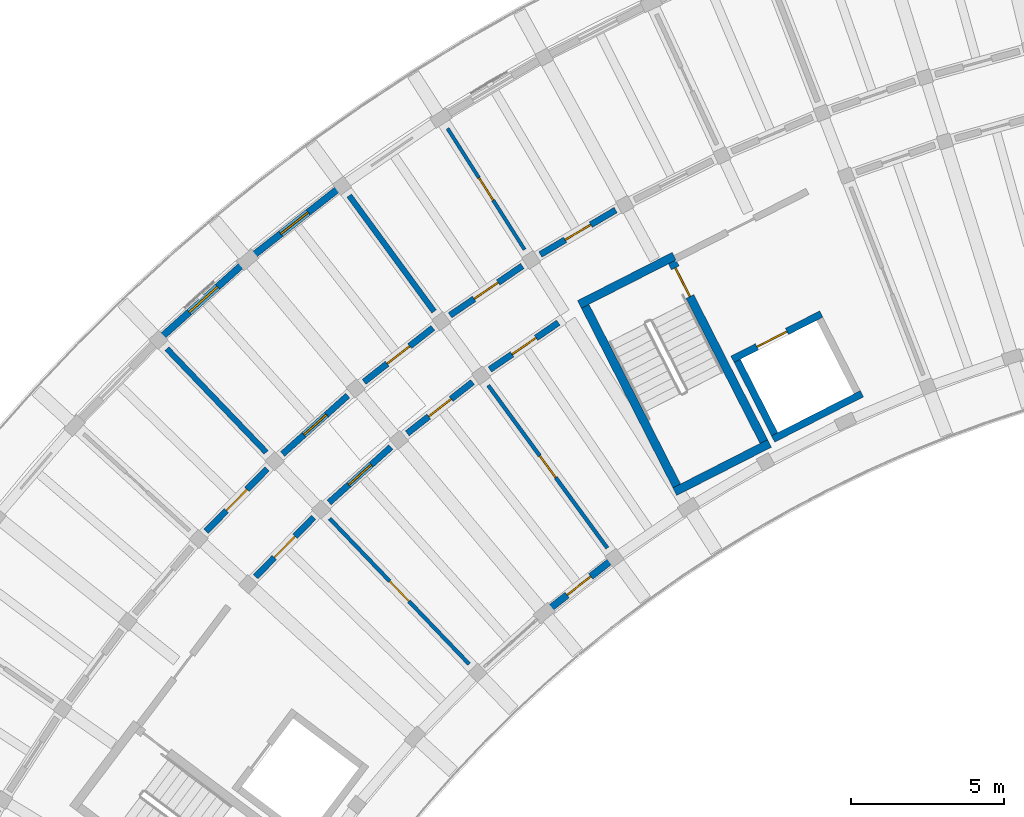
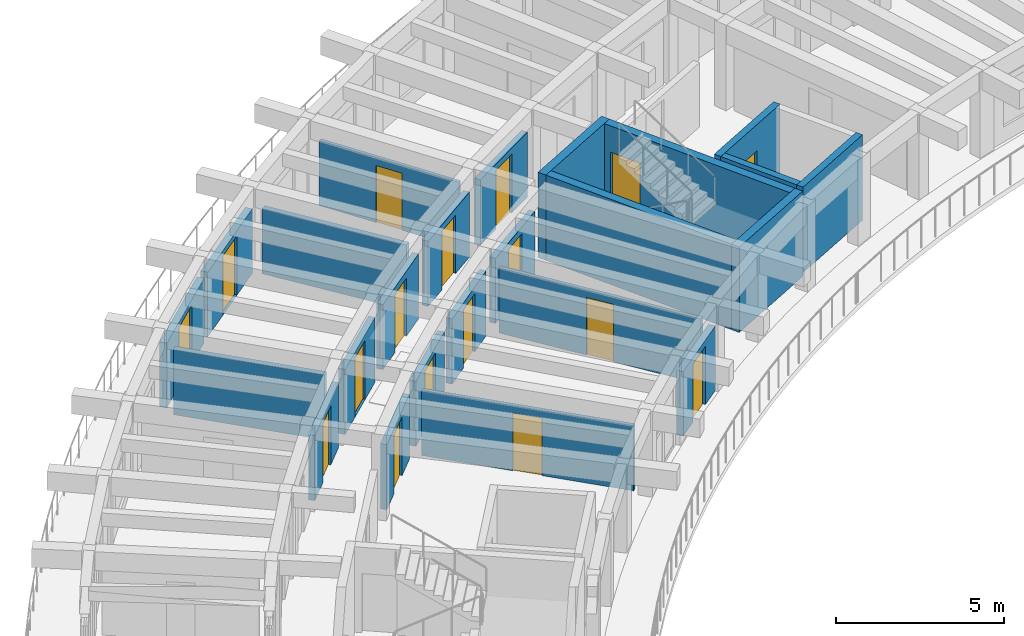
# One storey, part 20 of 36: 24 walls, 16 doors, 1 window, 17 openings.
"""IFC4 building model written with IfcOpenShell, lengths in metres."""

from ifc_helpers import new_model, si_unit, direction, frame, frame_2d, origin, place, context, subcontext, project, spatial, rectangle, extrude, material, layer, layer_set, type_object, element, fill, save


model = new_model("IFC4")

# Units and contexts
model_context = context("Model", 3, precision=1e-05, world=origin(), true_north=direction((0.0, 1.0)))
body_context = subcontext(model_context, "Body", "Model", "MODEL_VIEW")
ifc_project = project(units=[si_unit("LENGTHUNIT", "METRE"), si_unit("AREAUNIT", "SQUARE_METRE"), si_unit("VOLUMEUNIT", "CUBIC_METRE"), si_unit("PLANEANGLEUNIT", "RADIAN"), si_unit("MASSUNIT", "GRAM", prefix="KILO")], contexts=[model_context])

# Site, building, storey
site_placement = place(None, origin())
site = spatial("IfcSite", under=ifc_project, at=site_placement, CompositionType="ELEMENT")
building_placement = place(site_placement, origin())
building = spatial("IfcBuilding", under=site, at=building_placement, Name="Tanwirah Colonnade Gardens", CompositionType="ELEMENT")
storey_placement = place(building_placement, frame((0.0, 0.0, 39.080078125)))
storey = spatial("IfcBuildingStorey", under=building, at=storey_placement, Name="L11", CompositionType="ELEMENT", Elevation=39.080078125)

# Wall, opening, door
ifc_material_1 = material(Name="Limestone architectural precast concrete C40/50", Category="masonry")
ifc_layer_1 = layer(ifc_material_1, 0.22509765625)
ifc_layer_set_1 = layer_set([ifc_layer_1], Name="Limestone architectural precast concrete C40/50")
wall_type_1 = type_object("IfcWallType", Name="EW-PC225", PredefinedType="SOLIDWALL", material=ifc_layer_set_1)
wall_1_placement = place(storey_placement, frame((29.657470703125, 108.12060546875, 0.0), z_axis=(0.0, 0.0, 1.0), x_axis=(-0.786798003455, -0.617210581374, 0.0)))
wall_1 = element("IfcWall", 1, at=wall_1_placement, inside=storey, type_object=wall_type_1, Name="Block A L11 OUT Precast Facade Wall 8", PredefinedType="SOLIDWALL", context=body_context, shape_type="SweptSolid", body=[
    extrude(rectangle(XDim=3.56591796875, YDim=0.22509765625, at=frame_2d((1.782958984375, 0.0))), origin(), (0.0, 0.0, 1.0), 2.35498046875),
])
opening_1_placement = place(wall_1_placement, frame((1.212890625, 0.0, 0.0)))
opening_1 = element("IfcOpeningElement", 2, at=opening_1_placement, cuts=wall_1, Name="Opening L11-ED053", PredefinedType="OPENING", context=body_context, shape_type="SweptSolid", body=[
    extrude(rectangle(XDim=1.139892578125, YDim=2.159912109375, at=frame_2d((0.56982421875, 1.080078125))), frame((0.0, 0.12255859375, 0.0), z_axis=(0.0, -1.0, 0.0), x_axis=(1.0, 0.0, 0.0)), (0.0, 0.0, 1.0), 0.2451171875),
])
ifc_material_2 = material(Name="Bronze aluminium glazed balcony door", Category="aluminium")
door_type_1 = type_object("IfcDoorType", Name="ED-BAL114", OperationType="NOTDEFINED", PredefinedType="DOOR", material=ifc_material_2)
door_1_placement = place(opening_1_placement, origin())
door_1 = element("IfcDoor", 3, at=door_1_placement, inside=storey, type_object=door_type_1, Name="Balcony glazed door L11-ED053", OperationType="SINGLE_SWING_RIGHT", OverallHeight=2.159912109375, OverallWidth=1.139892578125, PredefinedType="DOOR", context=body_context, shape_type="SweptSolid", body=[
    extrude(rectangle(XDim=1.139892578125, YDim=2.159912109375, at=frame_2d((0.56982421875, 1.080078125))), frame((0.0, 0.02490234375, 0.0), z_axis=(0.0, -1.0, 0.0), x_axis=(1.0, 0.0, 0.0)), (0.0, 0.0, 1.0), 0.050048828125),
])
fill(opening_1, door_1)

wall_2_placement = place(storey_placement, frame((38.580322265625, 95.93896484375, 0.0), z_axis=(0.0, 0.0, 1.0), x_axis=(-0.786819050397, -0.617183750541, 0.0)))
wall_2 = element("IfcWall", 4, at=wall_2_placement, inside=storey, type_object=wall_type_1, Name="Block A L11 IN Precast Facade Wall 8", PredefinedType="SOLIDWALL", context=body_context, shape_type="SweptSolid", body=[
    extrude(rectangle(XDim=2.5703125, YDim=0.22509765625, at=frame_2d((1.28515625, 0.0))), origin(), (0.0, 0.0, 1.0), 2.35498046875),
])
opening_2_placement = place(wall_2_placement, frame((0.795166015625, 0.0, 0.0)))
opening_2 = element("IfcOpeningElement", 5, at=opening_2_placement, cuts=wall_2, Name="Opening L11-ED054", PredefinedType="OPENING", context=body_context, shape_type="SweptSolid", body=[
    extrude(rectangle(XDim=0.97998046875, YDim=2.1201171875, at=frame_2d((0.489990234375, 1.06005859375))), frame((0.0, 0.12255859375, 0.0), z_axis=(0.0, -1.0, 0.0), x_axis=(1.0, 0.0, 0.0)), (0.0, 0.0, 1.0), 0.2451171875),
])
door_type_2 = type_object("IfcDoorType", Name="ED-BAL098", OperationType="NOTDEFINED", PredefinedType="DOOR", material=ifc_material_2)
door_2_placement = place(opening_2_placement, origin())
door_2 = element("IfcDoor", 6, at=door_2_placement, inside=storey, type_object=door_type_2, Name="Balcony glazed door L11-ED054", OperationType="SINGLE_SWING_RIGHT", OverallHeight=2.1201171875, OverallWidth=0.97998046875, PredefinedType="DOOR", context=body_context, shape_type="SweptSolid", body=[
    extrude(rectangle(XDim=0.97998046875, YDim=2.1201171875, at=frame_2d((0.489990234375, 1.06005859375))), frame((0.0, 0.02490234375, 0.0), z_axis=(0.0, -1.0, 0.0), x_axis=(1.0, 0.0, 0.0)), (0.0, 0.0, 1.0), 0.050048828125),
])
fill(opening_2, door_2)

# Wall, opening, window
wall_3_placement = place(storey_placement, frame((26.59912109375, 105.707763671875, 0.0), z_axis=(0.0, 0.0, 1.0), x_axis=(-0.744409820675, -0.667723010598, 0.0)))
wall_3 = element("IfcWall", 7, at=wall_3_placement, inside=storey, type_object=wall_type_1, Name="Block A L11 OUT Precast Facade Wall 9", PredefinedType="SOLIDWALL", context=body_context, shape_type="SweptSolid", body=[
    extrude(rectangle(XDim=3.565673828125, YDim=0.22509765625, at=frame_2d((1.78271484375, 0.0))), origin(), (0.0, 0.0, 1.0), 2.35498046875),
])
opening_3_placement = place(wall_3_placement, frame((1.157958984375, 0.0, 0.550048828125)))
opening_3 = element("IfcOpeningElement", 8, at=opening_3_placement, cuts=wall_3, Name="Opening WIN-T03", PredefinedType="OPENING", context=body_context, shape_type="SweptSolid", body=[
    extrude(rectangle(XDim=1.25, YDim=1.60009765625, at=frame_2d((0.625, 0.800048828125))), frame((0.0, 0.12255859375, 0.0), z_axis=(0.0, -1.0, 0.0), x_axis=(1.0, 0.0, 0.0)), (0.0, 0.0, 1.0), 0.2451171875),
])
ifc_material_3 = material(Name="Thermally broken bronze aluminium and solar low-E double glazing", Category="aluminium")
window_type = type_object("IfcWindowType", Name="WIN-T03", PartitioningType="SINGLE_PANEL", PredefinedType="WINDOW", material=ifc_material_3)
window_placement = place(opening_3_placement, origin())
window = element("IfcWindow", 9, at=window_placement, inside=storey, type_object=window_type, Name="Facade window A-L11-OUT-09", OverallHeight=1.60009765625, OverallWidth=1.25, PartitioningType="SINGLE_PANEL", PredefinedType="WINDOW", context=body_context, shape_type="SweptSolid", body=[
    extrude(rectangle(XDim=1.25, YDim=1.60009765625, at=frame_2d((0.625, 0.800048828125))), frame((0.0, 0.030029296875, 0.0), z_axis=(0.0, -1.0, 0.0), x_axis=(1.0, 0.0, 0.0)), (0.0, 0.0, 1.0), 0.06005859375),
])
fill(opening_3, window)

# Wall, opening, door
ifc_material_4 = material(Name="Precast concrete C40/50", Category="concrete")
ifc_layer_2 = layer(ifc_material_4, 0.205078125)
ifc_layer_set_2 = layer_set([ifc_layer_2], Name="Precast concrete C40/50")
wall_type_2 = type_object("IfcWallType", Name="IW-CORR205", PredefinedType="PARTITIONING", material=ifc_layer_set_2)
wall_4_placement = place(storey_placement, frame((38.77001953125, 107.447021484375, 0.0), z_axis=(0.0, 0.0, 1.0), x_axis=(-0.861113214678, -0.508413248753, 0.0)))
wall_4 = element("IfcWall", 10, at=wall_4_placement, inside=storey, type_object=wall_type_2, Name="Block A L11 OUT Corridor Wall 6", PredefinedType="PARTITIONING", context=body_context, shape_type="SweptSolid", body=[
    extrude(rectangle(XDim=2.863037109375, YDim=0.205078125, at=frame_2d((1.431640625, 0.0))), origin(), (0.0, 0.0, 1.0), 2.369873046875),
])
opening_4_placement = place(wall_4_placement, frame((0.946533203125, 0.0, 0.0)))
opening_4 = element("IfcOpeningElement", 11, at=opening_4_placement, cuts=wall_4, Name="Opening L11-AD683", PredefinedType="OPENING", context=body_context, shape_type="SweptSolid", body=[
    extrude(rectangle(XDim=0.969970703125, YDim=2.14990234375, at=frame_2d((0.48486328125, 1.074951171875))), frame((0.0, 0.112548828125, 0.0), z_axis=(0.0, -1.0, 0.0), x_axis=(1.0, 0.0, 0.0)), (0.0, 0.0, 1.0), 0.22509765625),
])
ifc_material_5 = material(Name="Solid oak fire-resisting apartment entrance door")
door_type_3 = type_object("IfcDoorType", Name="ID-FLT097", OperationType="NOTDEFINED", PredefinedType="DOOR", material=ifc_material_5)
door_3_placement = place(opening_4_placement, origin())
door_3 = element("IfcDoor", 12, at=door_3_placement, inside=storey, type_object=door_type_3, Name="Apartment corridor door L11-AD683", OperationType="SINGLE_SWING_RIGHT", OverallHeight=2.14990234375, OverallWidth=0.969970703125, PredefinedType="DOOR", context=body_context, shape_type="SweptSolid", body=[
    extrude(rectangle(XDim=0.969970703125, YDim=2.14990234375, at=frame_2d((0.48486328125, 1.074951171875))), frame((0.0, 0.02490234375, 0.0), z_axis=(0.0, -1.0, 0.0), x_axis=(1.0, 0.0, 0.0)), (0.0, 0.0, 1.0), 0.050048828125),
])
fill(opening_4, door_3)

wall_5_placement = place(storey_placement, frame((35.714111328125, 105.615966796875, 0.0), z_axis=(0.0, 0.0, 1.0), x_axis=(-0.825779671787, -0.563992848947, 0.0)))
wall_5 = element("IfcWall", 13, at=wall_5_placement, inside=storey, type_object=wall_type_2, Name="Block A L11 OUT Corridor Wall 7", PredefinedType="PARTITIONING", context=body_context, shape_type="SweptSolid", body=[
    extrude(rectangle(XDim=2.863037109375, YDim=0.205078125, at=frame_2d((1.431640625, 0.0))), origin(), (0.0, 0.0, 1.0), 2.369873046875),
])
opening_5_placement = place(wall_5_placement, frame((0.95654296875, 0.0, 0.0)))
opening_5 = element("IfcOpeningElement", 14, at=opening_5_placement, cuts=wall_5, Name="Opening L11-AD685", PredefinedType="OPENING", context=body_context, shape_type="SweptSolid", body=[
    extrude(rectangle(XDim=0.949951171875, YDim=2.1298828125, at=frame_2d((0.47509765625, 1.06494140625))), frame((0.0, 0.112548828125, 0.0), z_axis=(0.0, -1.0, 0.0), x_axis=(1.0, 0.0, 0.0)), (0.0, 0.0, 1.0), 0.22509765625),
])
door_type_4 = type_object("IfcDoorType", Name="ID-FLT095", OperationType="NOTDEFINED", PredefinedType="DOOR", material=ifc_material_5)
door_4_placement = place(opening_5_placement, origin())
door_4 = element("IfcDoor", 15, at=door_4_placement, inside=storey, type_object=door_type_4, Name="Apartment corridor door L11-AD685", OperationType="SINGLE_SWING_LEFT", OverallHeight=2.1298828125, OverallWidth=0.949951171875, PredefinedType="DOOR", context=body_context, shape_type="SweptSolid", body=[
    extrude(rectangle(XDim=0.949951171875, YDim=2.1298828125, at=frame_2d((0.47509765625, 1.06494140625))), frame((0.0, 0.02490234375, 0.0), z_axis=(0.0, -1.0, 0.0), x_axis=(1.0, 0.0, 0.0)), (0.0, 0.0, 1.0), 0.050048828125),
])
fill(opening_5, door_4)

wall_6_placement = place(storey_placement, frame((36.89453125, 103.759521484375, 0.0), z_axis=(0.0, 0.0, 1.0), x_axis=(-0.825752009056, -0.56403334967, 0.0)))
wall_6 = element("IfcWall", 16, at=wall_6_placement, inside=storey, type_object=wall_type_2, Name="Block A L11 IN Corridor Wall 7", PredefinedType="PARTITIONING", context=body_context, shape_type="SweptSolid", body=[
    extrude(rectangle(XDim=2.71826171875, YDim=0.205078125, at=frame_2d((1.359130859375, 0.0))), origin(), (0.0, 0.0, 1.0), 2.369873046875),
])
opening_6_placement = place(wall_6_placement, frame((0.884033203125, 0.0, 0.0)))
opening_6 = element("IfcOpeningElement", 17, at=opening_6_placement, cuts=wall_6, Name="Opening L11-AD686", PredefinedType="OPENING", context=body_context, shape_type="SweptSolid", body=[
    extrude(rectangle(XDim=0.949951171875, YDim=2.1298828125, at=frame_2d((0.47509765625, 1.06494140625))), frame((0.0, 0.112548828125, 0.0), z_axis=(0.0, -1.0, 0.0), x_axis=(1.0, 0.0, 0.0)), (0.0, 0.0, 1.0), 0.22509765625),
])
door_5_placement = place(opening_6_placement, origin())
door_5 = element("IfcDoor", 18, at=door_5_placement, inside=storey, type_object=door_type_4, Name="Apartment corridor door L11-AD686", OperationType="SINGLE_SWING_RIGHT", OverallHeight=2.1298828125, OverallWidth=0.949951171875, PredefinedType="DOOR", context=body_context, shape_type="SweptSolid", body=[
    extrude(rectangle(XDim=0.949951171875, YDim=2.1298828125, at=frame_2d((0.47509765625, 1.06494140625))), frame((0.0, 0.02490234375, 0.0), z_axis=(0.0, -1.0, 0.0), x_axis=(1.0, 0.0, 0.0)), (0.0, 0.0, 1.0), 0.050048828125),
])
fill(opening_6, door_5)

wall_7_placement = place(storey_placement, frame((32.785400390625, 103.587890625, 0.0), z_axis=(0.0, 0.0, 1.0), x_axis=(-0.786806323554, -0.617199975061, 0.0)))
wall_7 = element("IfcWall", 19, at=wall_7_placement, inside=storey, type_object=wall_type_2, Name="Block A L11 OUT Corridor Wall 8", PredefinedType="PARTITIONING", context=body_context, shape_type="SweptSolid", body=[
    extrude(rectangle(XDim=2.863037109375, YDim=0.205078125, at=frame_2d((1.431640625, 0.0))), origin(), (0.0, 0.0, 1.0), 2.369873046875),
])
opening_7_placement = place(wall_7_placement, frame((0.966552734375, 0.0, 0.0)))
opening_7 = element("IfcOpeningElement", 20, at=opening_7_placement, cuts=wall_7, Name="Opening L11-AD688", PredefinedType="OPENING", context=body_context, shape_type="SweptSolid", body=[
    extrude(rectangle(XDim=0.929931640625, YDim=2.1201171875, at=frame_2d((0.46484375, 1.06005859375))), frame((0.0, 0.112548828125, 0.0), z_axis=(0.0, -1.0, 0.0), x_axis=(1.0, 0.0, 0.0)), (0.0, 0.0, 1.0), 0.22509765625),
])
door_type_5 = type_object("IfcDoorType", Name="ID-FLT093", OperationType="NOTDEFINED", PredefinedType="DOOR", material=ifc_material_5)
door_6_placement = place(opening_7_placement, origin())
door_6 = element("IfcDoor", 21, at=door_6_placement, inside=storey, type_object=door_type_5, Name="Apartment corridor door L11-AD688", OperationType="SINGLE_SWING_RIGHT", OverallHeight=2.1201171875, OverallWidth=0.929931640625, PredefinedType="DOOR", context=body_context, shape_type="SweptSolid", body=[
    extrude(rectangle(XDim=0.929931640625, YDim=2.1201171875, at=frame_2d((0.46484375, 1.06005859375))), frame((0.0, 0.02490234375, 0.0), z_axis=(0.0, -1.0, 0.0), x_axis=(1.0, 0.0, 0.0)), (0.0, 0.0, 1.0), 0.050048828125),
])
fill(opening_7, door_6)

wall_8_placement = place(storey_placement, frame((34.08544921875, 101.81298828125, 0.0), z_axis=(0.0, 0.0, 1.0), x_axis=(-0.786835457019, -0.617162833924, 0.0)))
wall_8 = element("IfcWall", 22, at=wall_8_placement, inside=storey, type_object=wall_type_2, Name="Block A L11 IN Corridor Wall 8", PredefinedType="PARTITIONING", context=body_context, shape_type="SweptSolid", body=[
    extrude(rectangle(XDim=2.718017578125, YDim=0.205078125, at=frame_2d((1.35888671875, 0.0))), origin(), (0.0, 0.0, 1.0), 2.369873046875),
])
opening_8_placement = place(wall_8_placement, frame((0.89404296875, 0.0, 0.0)))
opening_8 = element("IfcOpeningElement", 23, at=opening_8_placement, cuts=wall_8, Name="Opening L11-AD689", PredefinedType="OPENING", context=body_context, shape_type="SweptSolid", body=[
    extrude(rectangle(XDim=0.929931640625, YDim=2.1201171875, at=frame_2d((0.46484375, 1.06005859375))), frame((0.0, 0.112548828125, 0.0), z_axis=(0.0, -1.0, 0.0), x_axis=(1.0, 0.0, 0.0)), (0.0, 0.0, 1.0), 0.22509765625),
])
door_7_placement = place(opening_8_placement, origin())
door_7 = element("IfcDoor", 24, at=door_7_placement, inside=storey, type_object=door_type_5, Name="Apartment corridor door L11-AD689", OperationType="SINGLE_SWING_LEFT", OverallHeight=2.1201171875, OverallWidth=0.929931640625, PredefinedType="DOOR", context=body_context, shape_type="SweptSolid", body=[
    extrude(rectangle(XDim=0.929931640625, YDim=2.1201171875, at=frame_2d((0.46484375, 1.06005859375))), frame((0.0, 0.02490234375, 0.0), z_axis=(0.0, -1.0, 0.0), x_axis=(1.0, 0.0, 0.0)), (0.0, 0.0, 1.0), 0.050048828125),
])
fill(opening_8, door_7)

wall_9_placement = place(storey_placement, frame((29.996826171875, 101.37109375, 0.0), z_axis=(0.0, 0.0, 1.0), x_axis=(-0.744433521088, -0.667696587291, 0.0)))
wall_9 = element("IfcWall", 25, at=wall_9_placement, inside=storey, type_object=wall_type_2, Name="Block A L11 OUT Corridor Wall 9", PredefinedType="PARTITIONING", context=body_context, shape_type="SweptSolid", body=[
    extrude(rectangle(XDim=2.86328125, YDim=0.205078125, at=frame_2d((1.431640625, 0.0))), origin(), (0.0, 0.0, 1.0), 2.369873046875),
])
opening_9_placement = place(wall_9_placement, frame((0.9365234375, 0.0, 0.0)))
opening_9 = element("IfcOpeningElement", 26, at=opening_9_placement, cuts=wall_9, Name="Opening L11-AD690", PredefinedType="OPENING", context=body_context, shape_type="SweptSolid", body=[
    extrude(rectangle(XDim=0.989990234375, YDim=2.159912109375, at=frame_2d((0.4951171875, 1.080078125))), frame((0.0, 0.112548828125, 0.0), z_axis=(0.0, -1.0, 0.0), x_axis=(1.0, 0.0, 0.0)), (0.0, 0.0, 1.0), 0.22509765625),
])
door_type_6 = type_object("IfcDoorType", Name="ID-FLT099", OperationType="NOTDEFINED", PredefinedType="DOOR", material=ifc_material_5)
door_8_placement = place(opening_9_placement, origin())
door_8 = element("IfcDoor", 27, at=door_8_placement, inside=storey, type_object=door_type_6, Name="Apartment corridor door L11-AD690", OperationType="SINGLE_SWING_LEFT", OverallHeight=2.159912109375, OverallWidth=0.989990234375, PredefinedType="DOOR", context=body_context, shape_type="SweptSolid", body=[
    extrude(rectangle(XDim=0.989990234375, YDim=2.159912109375, at=frame_2d((0.4951171875, 1.080078125))), frame((0.0, 0.02490234375, 0.0), z_axis=(0.0, -1.0, 0.0), x_axis=(1.0, 0.0, 0.0)), (0.0, 0.0, 1.0), 0.050048828125),
])
fill(opening_9, door_8)

wall_10_placement = place(storey_placement, frame((31.410888671875, 99.685791015625, 0.0), z_axis=(0.0, 0.0, 1.0), x_axis=(-0.744418559135, -0.667713268413, 0.0)))
wall_10 = element("IfcWall", 28, at=wall_10_placement, inside=storey, type_object=wall_type_2, Name="Block A L11 IN Corridor Wall 9", PredefinedType="PARTITIONING", context=body_context, shape_type="SweptSolid", body=[
    extrude(rectangle(XDim=2.71826171875, YDim=0.205078125, at=frame_2d((1.359130859375, 0.0))), origin(), (0.0, 0.0, 1.0), 2.369873046875),
])
opening_10_placement = place(wall_10_placement, frame((0.864013671875, 0.0, 0.0)))
opening_10 = element("IfcOpeningElement", 29, at=opening_10_placement, cuts=wall_10, Name="Opening L11-AD691", PredefinedType="OPENING", context=body_context, shape_type="SweptSolid", body=[
    extrude(rectangle(XDim=0.989990234375, YDim=2.159912109375, at=frame_2d((0.4951171875, 1.080078125))), frame((0.0, 0.112548828125, 0.0), z_axis=(0.0, -1.0, 0.0), x_axis=(1.0, 0.0, 0.0)), (0.0, 0.0, 1.0), 0.22509765625),
])
door_9_placement = place(opening_10_placement, origin())
door_9 = element("IfcDoor", 30, at=door_9_placement, inside=storey, type_object=door_type_6, Name="Apartment corridor door L11-AD691", OperationType="SINGLE_SWING_RIGHT", OverallHeight=2.159912109375, OverallWidth=0.989990234375, PredefinedType="DOOR", context=body_context, shape_type="SweptSolid", body=[
    extrude(rectangle(XDim=0.989990234375, YDim=2.159912109375, at=frame_2d((0.4951171875, 1.080078125))), frame((0.0, 0.02490234375, 0.0), z_axis=(0.0, -1.0, 0.0), x_axis=(1.0, 0.0, 0.0)), (0.0, 0.0, 1.0), 0.050048828125),
])
fill(opening_10, door_9)

wall_11_placement = place(storey_placement, frame((27.360107421875, 98.975341796875, 0.0), z_axis=(0.0, 0.0, 1.0), x_axis=(-0.698787219683, -0.715329589496, 0.0)))
wall_11 = element("IfcWall", 31, at=wall_11_placement, inside=storey, type_object=wall_type_2, Name="Block A L11 OUT Corridor Wall 10", PredefinedType="PARTITIONING", context=body_context, shape_type="SweptSolid", body=[
    extrude(rectangle(XDim=2.863037109375, YDim=0.205078125, at=frame_2d((1.431640625, 0.0))), origin(), (0.0, 0.0, 1.0), 2.369873046875),
])
opening_11_placement = place(wall_11_placement, frame((0.946533203125, 0.0, 0.0)))
opening_11 = element("IfcOpeningElement", 32, at=opening_11_placement, cuts=wall_11, Name="Opening L11-AD693", PredefinedType="OPENING", context=body_context, shape_type="SweptSolid", body=[
    extrude(rectangle(XDim=0.969970703125, YDim=2.14990234375, at=frame_2d((0.48486328125, 1.074951171875))), frame((0.0, 0.112548828125, 0.0), z_axis=(0.0, -1.0, 0.0), x_axis=(1.0, 0.0, 0.0)), (0.0, 0.0, 1.0), 0.22509765625),
])
door_10_placement = place(opening_11_placement, origin())
door_10 = element("IfcDoor", 33, at=door_10_placement, inside=storey, type_object=door_type_3, Name="Apartment corridor door L11-AD693", OperationType="SINGLE_SWING_RIGHT", OverallHeight=2.14990234375, OverallWidth=0.969970703125, PredefinedType="DOOR", context=body_context, shape_type="SweptSolid", body=[
    extrude(rectangle(XDim=0.969970703125, YDim=2.14990234375, at=frame_2d((0.48486328125, 1.074951171875))), frame((0.0, 0.02490234375, 0.0), z_axis=(0.0, -1.0, 0.0), x_axis=(1.0, 0.0, 0.0)), (0.0, 0.0, 1.0), 0.050048828125),
])
fill(opening_11, door_10)

wall_12_placement = place(storey_placement, frame((28.88232421875, 97.38671875, 0.0), z_axis=(0.0, 0.0, 1.0), x_axis=(-0.698840007829, -0.715278018296, 0.0)))
wall_12 = element("IfcWall", 34, at=wall_12_placement, inside=storey, type_object=wall_type_2, Name="Block A L11 IN Corridor Wall 10", PredefinedType="PARTITIONING", context=body_context, shape_type="SweptSolid", body=[
    extrude(rectangle(XDim=2.718017578125, YDim=0.205078125, at=frame_2d((1.35888671875, 0.0))), origin(), (0.0, 0.0, 1.0), 2.369873046875),
])
opening_12_placement = place(wall_12_placement, frame((0.8740234375, 0.0, 0.0)))
opening_12 = element("IfcOpeningElement", 35, at=opening_12_placement, cuts=wall_12, Name="Opening L11-AD694", PredefinedType="OPENING", context=body_context, shape_type="SweptSolid", body=[
    extrude(rectangle(XDim=0.969970703125, YDim=2.14990234375, at=frame_2d((0.48486328125, 1.074951171875))), frame((0.0, 0.112548828125, 0.0), z_axis=(0.0, -1.0, 0.0), x_axis=(1.0, 0.0, 0.0)), (0.0, 0.0, 1.0), 0.22509765625),
])
door_11_placement = place(opening_12_placement, origin())
door_11 = element("IfcDoor", 36, at=door_11_placement, inside=storey, type_object=door_type_3, Name="Apartment corridor door L11-AD694", OperationType="SINGLE_SWING_LEFT", OverallHeight=2.14990234375, OverallWidth=0.969970703125, PredefinedType="DOOR", context=body_context, shape_type="SweptSolid", body=[
    extrude(rectangle(XDim=0.969970703125, YDim=2.14990234375, at=frame_2d((0.48486328125, 1.074951171875))), frame((0.0, 0.02490234375, 0.0), z_axis=(0.0, -1.0, 0.0), x_axis=(1.0, 0.0, 0.0)), (0.0, 0.0, 1.0), 0.050048828125),
])
fill(opening_12, door_11)

# Walls
ifc_layer_3 = layer(ifc_material_4, 0.18505859375)
ifc_layer_set_3 = layer_set([ifc_layer_3], Name="Precast concrete C40/50")
wall_type_3 = type_object("IfcWallType", Name="IW-DEM185", PredefinedType="PARTITIONING", material=ifc_layer_set_3)
for number, where, z_axis, x_axis, name in (
    (37, (32.824462890625, 104.12646484375, 0.0), (0.0, 0.0, 1.0), (-0.590910940129, 0.806736797745, 0.0), "Block A L11 Radial Partition 7"),
    (38, (27.328125, 99.514404296875, 0.0), (0.0, 0.0, 1.0), (-0.691882799356, 0.722009828157, 0.0), "Block A L11 Radial Partition 9"),
):
    element("IfcWall", number, at=place(storey_placement, frame(where, z_axis=z_axis, x_axis=x_axis)), inside=storey, type_object=wall_type_3, Name=name, PredefinedType="PARTITIONING", context=body_context, shape_type="SweptSolid", body=[
        extrude(rectangle(XDim=4.7001953125, YDim=0.18505859375, at=frame_2d((2.35009765625, 0.0))), origin(), (0.0, 0.0, 1.0), 2.369873046875),
    ])

# Wall, opening, door
ifc_material_6 = material(Name="Acoustic gypsum stud partition")
ifc_layer_4 = layer(ifc_material_6, 0.114990234375)
ifc_layer_set_4 = layer_set([ifc_layer_4], Name="Acoustic gypsum stud partition")
wall_type_4 = type_object("IfcWallType", Name="IW-INT115", PredefinedType="PARTITIONING", material=ifc_layer_set_4)
wall_13_placement = place(storey_placement, frame((35.78857421875, 106.151123046875, 0.0), z_axis=(0.0, 0.0, 1.0), x_axis=(-0.536492262982, 0.843905238614, 0.0)))
wall_13 = element("IfcWall", 39, at=wall_13_placement, inside=storey, type_object=wall_type_4, Name="Block A L11 Radial Partition 6", PredefinedType="PARTITIONING", context=body_context, shape_type="SweptSolid", body=[
    extrude(rectangle(XDim=4.699951171875, YDim=0.114990234375, at=frame_2d((2.35009765625, 0.0))), origin(), (0.0, 0.0, 1.0), 2.369873046875),
])
opening_13_placement = place(wall_13_placement, frame((1.9150390625, 0.0, 0.0)))
opening_13 = element("IfcOpeningElement", 40, at=opening_13_placement, cuts=wall_13, Name="Opening L11-RD684", PredefinedType="OPENING", context=body_context, shape_type="SweptSolid", body=[
    extrude(rectangle(XDim=0.8701171875, YDim=2.080078125, at=frame_2d((0.43505859375, 1.0400390625))), frame((0.0, 0.0673828125, 0.0), z_axis=(0.0, -1.0, 0.0), x_axis=(1.0, 0.0, 0.0)), (0.0, 0.0, 1.0), 0.135009765625),
])
ifc_material_7 = material(Name="Painted hardwood study door", Category="wood")
door_type_7 = type_object("IfcDoorType", Name="ID-RM087", OperationType="NOTDEFINED", PredefinedType="DOOR", material=ifc_material_7)
door_12_placement = place(opening_13_placement, origin())
door_12 = element("IfcDoor", 41, at=door_12_placement, inside=storey, type_object=door_type_7, Name="Internal apartment door L11-RD684", OperationType="SINGLE_SWING_RIGHT", OverallHeight=2.080078125, OverallWidth=0.8701171875, PredefinedType="DOOR", context=body_context, shape_type="SweptSolid", body=[
    extrude(rectangle(XDim=0.8701171875, YDim=2.080078125, at=frame_2d((0.43505859375, 1.0400390625))), frame((0.0, 0.02490234375, 0.0), z_axis=(0.0, -1.0, 0.0), x_axis=(1.0, 0.0, 0.0)), (0.0, 0.0, 1.0), 0.050048828125),
])
fill(opening_13, door_12)

ifc_material_8 = material(Name="Moisture-resistant gypsum stud partition")
ifc_layer_5 = layer(ifc_material_8, 0.125)
ifc_layer_set_5 = layer_set([ifc_layer_5], Name="Moisture-resistant gypsum stud partition")
wall_type_5 = type_object("IfcWallType", Name="IW-INT125", PredefinedType="PARTITIONING", material=ifc_layer_set_5)
wall_14_placement = place(storey_placement, frame((38.497314453125, 96.3818359375, 0.0), z_axis=(0.0, 0.0, 1.0), x_axis=(-0.590924179316, 0.806727100263, 0.0)))
wall_14 = element("IfcWall", 42, at=wall_14_placement, inside=storey, type_object=wall_type_5, Name="Block A L11 Inner Radial Partition 7", PredefinedType="PARTITIONING", context=body_context, shape_type="SweptSolid", body=[
    extrude(rectangle(XDim=6.60009765625, YDim=0.125, at=frame_2d((3.300048828125, 0.0))), origin(), (0.0, 0.0, 1.0), 2.369873046875),
])
opening_14_placement = place(wall_14_placement, frame((2.85498046875, 0.0, 0.0)))
opening_14 = element("IfcOpeningElement", 43, at=opening_14_placement, cuts=wall_14, Name="Opening L11-RD687", PredefinedType="OPENING", context=body_context, shape_type="SweptSolid", body=[
    extrude(rectangle(XDim=0.889892578125, YDim=2.10009765625, at=frame_2d((0.44482421875, 1.050048828125))), frame((0.0, 0.072509765625, 0.0), z_axis=(0.0, -1.0, 0.0), x_axis=(1.0, 0.0, 0.0)), (0.0, 0.0, 1.0), 0.14501953125),
])
ifc_material_9 = material(Name="Painted hardwood bedroom door", Category="wood")
door_type_8 = type_object("IfcDoorType", Name="ID-RM089", OperationType="NOTDEFINED", PredefinedType="DOOR", material=ifc_material_9)
door_13_placement = place(opening_14_placement, origin())
door_13 = element("IfcDoor", 44, at=door_13_placement, inside=storey, type_object=door_type_8, Name="Internal apartment door L11-RD687", OperationType="SINGLE_SWING_RIGHT", OverallHeight=2.10009765625, OverallWidth=0.889892578125, PredefinedType="DOOR", context=body_context, shape_type="SweptSolid", body=[
    extrude(rectangle(XDim=0.889892578125, YDim=2.10009765625, at=frame_2d((0.44482421875, 1.050048828125))), frame((0.0, 0.02490234375, 0.0), z_axis=(0.0, -1.0, 0.0), x_axis=(1.0, 0.0, 0.0)), (0.0, 0.0, 1.0), 0.050048828125),
])
fill(opening_14, door_13)

wall_15_placement = place(storey_placement, frame((33.969970703125, 92.5830078125, 0.0), z_axis=(0.0, 0.0, 1.0), x_axis=(-0.691872422458, 0.722019771919, 0.0)))
wall_15 = element("IfcWall", 45, at=wall_15_placement, inside=storey, type_object=wall_type_5, Name="Block A L11 Inner Radial Partition 9", PredefinedType="PARTITIONING", context=body_context, shape_type="SweptSolid", body=[
    extrude(rectangle(XDim=6.60009765625, YDim=0.125, at=frame_2d((3.300048828125, 0.0))), origin(), (0.0, 0.0, 1.0), 2.369873046875),
])
opening_15_placement = place(wall_15_placement, frame((2.844970703125, 0.0, 0.0)))
opening_15 = element("IfcOpeningElement", 46, at=opening_15_placement, cuts=wall_15, Name="Opening L11-RD692", PredefinedType="OPENING", context=body_context, shape_type="SweptSolid", body=[
    extrude(rectangle(XDim=0.909912109375, YDim=2.10009765625, at=frame_2d((0.455078125, 1.050048828125))), frame((0.0, 0.072509765625, 0.0), z_axis=(0.0, -1.0, 0.0), x_axis=(1.0, 0.0, 0.0)), (0.0, 0.0, 1.0), 0.14501953125),
])
ifc_material_10 = material(Name="Painted hardwood internal room door", Category="wood")
door_type_9 = type_object("IfcDoorType", Name="ID-RM091", OperationType="NOTDEFINED", PredefinedType="DOOR", material=ifc_material_10)
door_14_placement = place(opening_15_placement, origin())
door_14 = element("IfcDoor", 47, at=door_14_placement, inside=storey, type_object=door_type_9, Name="Internal apartment door L11-RD692", OperationType="SINGLE_SWING_RIGHT", OverallHeight=2.10009765625, OverallWidth=0.909912109375, PredefinedType="DOOR", context=body_context, shape_type="SweptSolid", body=[
    extrude(rectangle(XDim=0.909912109375, YDim=2.10009765625, at=frame_2d((0.455078125, 1.050048828125))), frame((0.0, 0.02490234375, 0.0), z_axis=(0.0, -1.0, 0.0), x_axis=(1.0, 0.0, 0.0)), (0.0, 0.0, 1.0), 0.050048828125),
])
fill(opening_15, door_14)

# Walls
ifc_material_11 = material(Name="Concrete C45/55", Category="concrete")
ifc_layer_6 = layer(ifc_material_11, 0.280029296875)
ifc_layer_set_6 = layer_set([ifc_layer_6], Name="Concrete C45/55")
wall_type_6 = type_object("IfcWallType", Name="SW-CORE280", PredefinedType="SHEAR", material=ifc_layer_set_6)
wall_16_placement = place(storey_placement, frame((37.7734375, 104.295654296875, 0.0), z_axis=(0.0, 0.0, 1.0), x_axis=(0.453992276384, -0.891005618941, 0.0)))
element("IfcWall", 48, at=wall_16_placement, inside=storey, type_object=wall_type_6, Name="CORE-A1 L11 Stair Shaft Shear Wall LEFT", PredefinedType="SHEAR", context=body_context, shape_type="SweptSolid", body=[
    extrude(rectangle(XDim=6.599853515625, YDim=0.280029296875, at=frame_2d((3.2998046875, 0.0))), origin(), (0.0, 0.0, 1.0), 3.10986328125),
])
for number, where, z_axis, x_axis, name in (
    (49, (40.708740234375, 98.2265625, 0.0), (0.0, 0.0, 1.0), (0.891005763861, 0.453991991964, 0.0), "CORE-A1 L11 Stair Shaft Shear Wall FAR"),
    (50, (37.585205078125, 104.356689453125, 0.0), (0.0, 0.0, 1.0), (0.891020222667, 0.453963613958, 0.0), "CORE-A1 L11 Stair Shaft Shear Wall NEAR"),
):
    element("IfcWall", number, at=place(storey_placement, frame(where, z_axis=z_axis, x_axis=x_axis)), inside=storey, type_object=wall_type_6, Name=name, PredefinedType="SHEAR", context=body_context, shape_type="SweptSolid", body=[
        extrude(rectangle(XDim=3.47998046875, YDim=0.280029296875, at=frame_2d((1.739990234375, 0.0))), origin(), (0.0, 0.0, 1.0), 3.10986328125),
    ])

# Wall, opening, door
wall_17_placement = place(storey_placement, frame((40.624755859375, 105.748291015625, 0.0), z_axis=(0.0, 0.0, 1.0), x_axis=(0.453992276384, -0.891005618941, 0.0)))
wall_17 = element("IfcWall", 51, at=wall_17_placement, inside=storey, type_object=wall_type_6, Name="CORE-A1 L11 Stair Shaft Shear Wall RIGHT", PredefinedType="SHEAR", context=body_context, shape_type="SweptSolid", body=[
    extrude(rectangle(XDim=6.599853515625, YDim=0.280029296875, at=frame_2d((3.2998046875, 0.0))), origin(), (0.0, 0.0, 1.0), 3.10986328125),
])
opening_16_placement = place(wall_17_placement, frame((0.219970703125, 0.0, 0.0)))
opening_16 = element("IfcOpeningElement", 52, at=opening_16_placement, cuts=wall_17, Name="Opening L11-SD013", PredefinedType="OPENING", context=body_context, shape_type="SweptSolid", body=[
    extrude(rectangle(XDim=1.050048828125, YDim=2.14990234375, at=frame_2d((0.52490234375, 1.074951171875))), frame((0.0, 0.14990234375, 0.0), z_axis=(0.0, -1.0, 0.0), x_axis=(1.0, 0.0, 0.0)), (0.0, 0.0, 1.0), 0.300048828125),
])
ifc_material_12 = material(Name="Steel fire-resisting stair enclosure door", Category="steel")
door_type_10 = type_object("IfcDoorType", Name="ID-ST105", OperationType="NOTDEFINED", PredefinedType="DOOR", material=ifc_material_12)
door_15_placement = place(opening_16_placement, origin())
door_15 = element("IfcDoor", 53, at=door_15_placement, inside=storey, type_object=door_type_10, Name="CORE-A1 L11 Stair Fire Door L11-SD013", OperationType="SINGLE_SWING_RIGHT", OverallHeight=2.14990234375, OverallWidth=1.050048828125, PredefinedType="DOOR", context=body_context, shape_type="SweptSolid", body=[
    extrude(rectangle(XDim=1.050048828125, YDim=2.14990234375, at=frame_2d((0.52490234375, 1.074951171875))), frame((0.0, 0.02490234375, 0.0), z_axis=(0.0, -1.0, 0.0), x_axis=(1.0, 0.0, 0.0)), (0.0, 0.0, 1.0), 0.050048828125),
])
fill(opening_16, door_15)

ifc_layer_7 = layer(ifc_material_11, 0.22998046875)
ifc_layer_set_7 = layer_set([ifc_layer_7], Name="Concrete C45/55")
wall_type_7 = type_object("IfcWallType", Name="SW-LIFT230", PredefinedType="SHEAR", material=ifc_layer_set_7)
wall_18_placement = place(storey_placement, frame((42.5966796875, 102.561279296875, 0.0), z_axis=(0.0, 0.0, 1.0), x_axis=(0.891001200497, 0.454000947921, 0.0)))
wall_18 = element("IfcWall", 54, at=wall_18_placement, inside=storey, type_object=wall_type_7, Name="CORE-A1 L11 Lift Shaft Wall FRONT", PredefinedType="SHEAR", context=body_context, shape_type="SweptSolid", body=[
    extrude(rectangle(XDim=3.259765625, YDim=0.22998046875, at=frame_2d((1.6298828125, 0.0))), origin(), (0.0, 0.0, 1.0), 3.10986328125),
])
opening_17_placement = place(wall_18_placement, frame((0.89990234375, 0.0, 0.0)))
opening_17 = element("IfcOpeningElement", 55, at=opening_17_placement, cuts=wall_18, Name="Opening L11-LD-FL-A1", PredefinedType="OPENING", context=body_context, shape_type="SweptSolid", body=[
    extrude(rectangle(XDim=1.10009765625, YDim=2.14990234375, at=frame_2d((0.550048828125, 1.074951171875))), frame((0.0, 0.125, 0.0), z_axis=(0.0, -1.0, 0.0), x_axis=(1.0, 0.0, 0.0)), (0.0, 0.0, 1.0), 0.25),
])
ifc_material_13 = material(Name="Stainless steel sliding fire lift landing door", Category="steel")
door_type_11 = type_object("IfcDoorType", Name="LD-FF11", OperationType="DOUBLE_DOOR_SLIDING", PredefinedType="DOOR", material=ifc_material_13)
door_16_placement = place(opening_17_placement, origin())
door_16 = element("IfcDoor", 56, at=door_16_placement, inside=storey, type_object=door_type_11, Name="Lift FL-A1 L11 Sliding Landing Door", OperationType="DOUBLE_DOOR_SLIDING", OverallHeight=2.14990234375, OverallWidth=1.10009765625, PredefinedType="DOOR", context=body_context, shape_type="SweptSolid", body=[
    extrude(rectangle(XDim=1.10009765625, YDim=2.14990234375, at=frame_2d((0.550048828125, 1.074951171875))), frame((0.0, 0.02490234375, 0.0), z_axis=(0.0, -1.0, 0.0), x_axis=(1.0, 0.0, 0.0)), (0.0, 0.0, 1.0), 0.050048828125),
])
fill(opening_17, door_16)

# Walls
wall_19_placement = place(storey_placement, frame((43.9267578125, 99.950439453125, 0.0), z_axis=(0.0, 0.0, 1.0), x_axis=(0.891016635648, 0.453970654337, 0.0)))
element("IfcWall", 57, at=wall_19_placement, inside=storey, type_object=wall_type_7, Name="CORE-A1 L11 Lift Shaft Wall BACK", PredefinedType="SHEAR", context=body_context, shape_type="SweptSolid", body=[
    extrude(rectangle(XDim=3.260009765625, YDim=0.22998046875, at=frame_2d((1.6298828125, 0.0))), origin(), (0.0, 0.0, 1.0), 3.10986328125),
])
wall_20_placement = place(storey_placement, frame((42.751220703125, 102.510986328125, 0.0), z_axis=(0.0, 0.0, 1.0), x_axis=(0.454000278178, -0.891001541758, 0.0)))
element("IfcWall", 58, at=wall_20_placement, inside=storey, type_object=wall_type_7, Name="CORE-A1 L11 Lift Shaft Wall SIDEA", PredefinedType="SHEAR", context=body_context, shape_type="SweptSolid", body=[
    extrude(rectangle(XDim=2.699951171875, YDim=0.22998046875, at=frame_2d((1.35009765625, 0.0))), origin(), (0.0, 0.0, 1.0), 3.10986328125),
])

save(model, "model.ifc")
